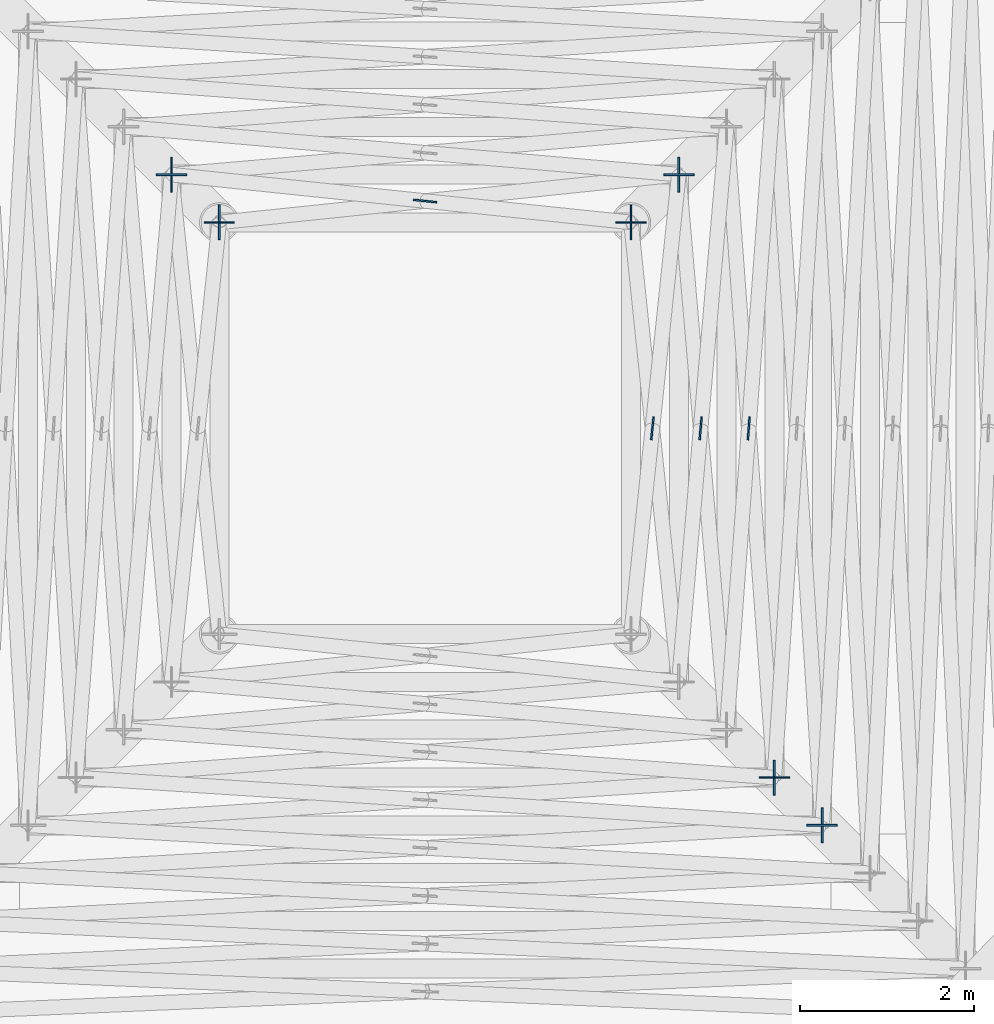
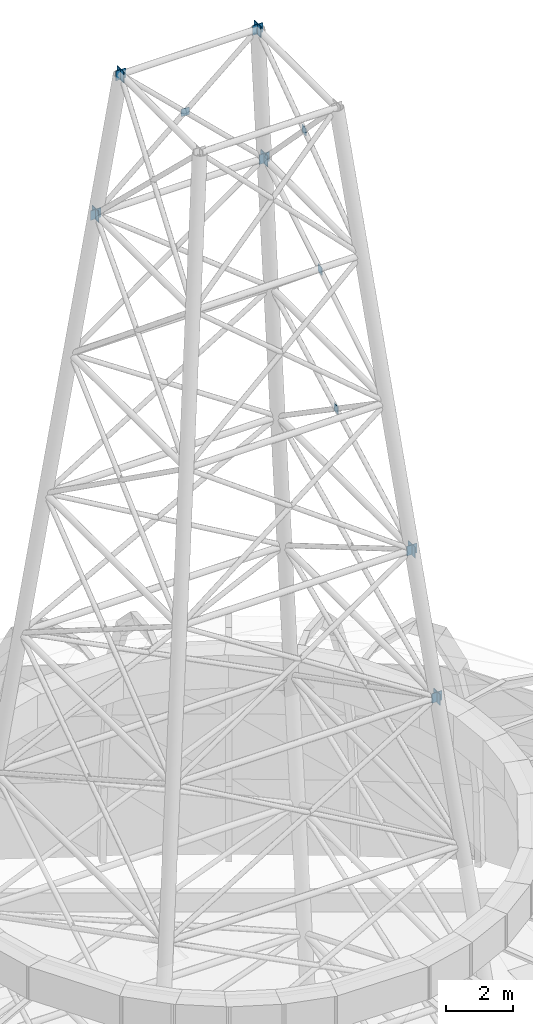
# One storey, part 11 of 27: 16 discrete accessories.
"""IFC4 building model written with IfcOpenShell, lengths in metres."""

from ifc_helpers import new_model, si_unit, direction, frame, origin, origin_2d, place, context, subcontext, project, spatial, rectangle, extrude, material, layer, layer_set, type_object, element, save


model = new_model("IFC4")

# Units and contexts
model_context = context("Model", 3, precision=1e-05, world=origin(), true_north=direction((0.0, 1.0)))
body_context = subcontext(model_context, "Body", "Model", "MODEL_VIEW")
ifc_project = project(units=[si_unit("LENGTHUNIT", "METRE"), si_unit("AREAUNIT", "SQUARE_METRE"), si_unit("VOLUMEUNIT", "CUBIC_METRE"), si_unit("PLANEANGLEUNIT", "RADIAN"), si_unit("MASSUNIT", "GRAM", prefix="KILO")], contexts=[model_context])

# Site, building, storey
site_placement = place(None, origin())
site = spatial("IfcSite", under=ifc_project, at=site_placement, CompositionType="ELEMENT")
building_placement = place(site_placement, origin())
building = spatial("IfcBuilding", under=site, at=building_placement, Name="Ayvan Gate Tower", CompositionType="ELEMENT")
storey_placement = place(building_placement, frame((0.0, 0.0, 267.699951171875)))
storey = spatial("IfcBuildingStorey", under=building, at=storey_placement, Name="Roof", CompositionType="ELEMENT", Elevation=267.699951171875)

# Discrete accessories
ifc_material = material(Name="Steel S460ML", Category="steel")
ifc_layer = layer(ifc_material, 0.02001953125)
ifc_layer_set = layer_set([ifc_layer], Name="Steel S460ML")
discrete_accessory_type = type_object("IfcDiscreteAccessoryType", Name="Gusset plate 20 mm", PredefinedType="BRACKET", material=ifc_layer_set)
for number, where, z_axis, x_axis, name in (
    (1, (3.725341796875, 0.0, 28.93310546875), (0.0, 0.0, 1.0), (0.073248640976, 0.997313710221, 0.0), "Gusset plate MAST BRACE 6-4B"),
    (2, (3.171630859375, 0.0, 34.21630859375), (0.0, 0.0, 1.0), (0.08577514143, 0.996314521179, 0.0), "Gusset plate MAST BRACE 7-4B"),
    (3, (0.0, 2.616455078125, 39.51318359375), (0.0, 0.0, 1.0), (-0.994635507056, 0.103441810229, 0.0), "Gusset plate MAST BRACE 8-1B"),
    (4, (2.616455078125, 0.0, 39.51318359375), (0.0, 0.0, 1.0), (0.103441810229, 0.994635507056, 0.0), "Gusset plate MAST BRACE 8-4B"),
):
    element("IfcDiscreteAccessory", number, at=place(storey_placement, frame(where, z_axis=z_axis, x_axis=x_axis)), inside=storey, type_object=discrete_accessory_type, Name=name, PredefinedType="BRACKET", context=body_context, shape_type="SweptSolid", body=[
        extrude(rectangle(XDim=0.269287109375, YDim=0.02001953125, at=origin_2d()), origin(), (0.0, 0.0, 1.0), 0.269287109375),
    ])
discrete_accessory_1_placement = place(storey_placement, frame((4.57080078125, -4.57080078125, 20.82470703125), z_axis=(0.0, 0.0, 1.0), x_axis=(1.0, 0.0, 0.0)))
element("IfcDiscreteAccessory", 5, at=discrete_accessory_1_placement, inside=storey, type_object=discrete_accessory_type, Name="Gusset plate MAST RING 4-3", PredefinedType="BRACKET", context=body_context, shape_type="SweptSolid", body=[
    extrude(rectangle(XDim=0.3505859375, YDim=0.02001953125, at=origin_2d()), origin(), (0.0, 0.0, 1.0), 0.3505859375),
])
discrete_accessory_2_placement = place(storey_placement, frame((4.57080078125, -4.57080078125, 20.79833984375), z_axis=(0.0, 0.0, 1.0), x_axis=(0.0, 1.0, 0.0)))
element("IfcDiscreteAccessory", 6, at=discrete_accessory_2_placement, inside=storey, type_object=discrete_accessory_type, Name="Gusset plate MAST RING 4-4", PredefinedType="BRACKET", context=body_context, shape_type="SweptSolid", body=[
    extrude(rectangle(XDim=0.403076171875, YDim=0.02001953125, at=origin_2d()), origin(), (0.0, 0.0, 1.0), 0.403076171875),
])
discrete_accessory_3_placement = place(storey_placement, frame((4.0205078125, -4.0205078125, 26.07470703125), z_axis=(0.0, 0.0, 1.0), x_axis=(1.0, 0.0, 0.0)))
element("IfcDiscreteAccessory", 7, at=discrete_accessory_3_placement, inside=storey, type_object=discrete_accessory_type, Name="Gusset plate MAST RING 5-3", PredefinedType="BRACKET", context=body_context, shape_type="SweptSolid", body=[
    extrude(rectangle(XDim=0.3505859375, YDim=0.02001953125, at=origin_2d()), origin(), (0.0, 0.0, 1.0), 0.3505859375),
])
discrete_accessory_4_placement = place(storey_placement, frame((4.0205078125, -4.0205078125, 26.04833984375), z_axis=(0.0, 0.0, 1.0), x_axis=(0.0, 1.0, 0.0)))
element("IfcDiscreteAccessory", 8, at=discrete_accessory_4_placement, inside=storey, type_object=discrete_accessory_type, Name="Gusset plate MAST RING 5-4", PredefinedType="BRACKET", context=body_context, shape_type="SweptSolid", body=[
    extrude(rectangle(XDim=0.403076171875, YDim=0.02001953125, at=origin_2d()), origin(), (0.0, 0.0, 1.0), 0.403076171875),
])
for number, where, z_axis, x_axis, name in (
    (9, (2.920166015625, 2.920166015625, 36.57470703125), (0.0, 0.0, 1.0), (1.0, 0.0, 0.0), "Gusset plate MAST RING 7-1"),
    (10, (-2.920166015625, 2.920166015625, 36.57470703125), (0.0, 0.0, 1.0), (1.0, 0.0, 0.0), "Gusset plate MAST RING 7-1"),
):
    element("IfcDiscreteAccessory", number, at=place(storey_placement, frame(where, z_axis=z_axis, x_axis=x_axis)), inside=storey, type_object=discrete_accessory_type, Name=name, PredefinedType="BRACKET", context=body_context, shape_type="SweptSolid", body=[
        extrude(rectangle(XDim=0.3505859375, YDim=0.02001953125, at=origin_2d()), origin(), (0.0, 0.0, 1.0), 0.3505859375),
    ])
for number, where, z_axis, x_axis, name in (
    (11, (-2.920166015625, 2.920166015625, 36.54833984375), (0.0, 0.0, 1.0), (0.0, 1.0, 0.0), "Gusset plate MAST RING 7-2"),
    (12, (2.920166015625, 2.920166015625, 36.54833984375), (0.0, 0.0, 1.0), (0.0, 1.0, 0.0), "Gusset plate MAST RING 7-4"),
):
    element("IfcDiscreteAccessory", number, at=place(storey_placement, frame(where, z_axis=z_axis, x_axis=x_axis)), inside=storey, type_object=discrete_accessory_type, Name=name, PredefinedType="BRACKET", context=body_context, shape_type="SweptSolid", body=[
        extrude(rectangle(XDim=0.403076171875, YDim=0.02001953125, at=origin_2d()), origin(), (0.0, 0.0, 1.0), 0.403076171875),
    ])
for number, where, z_axis, x_axis, name in (
    (13, (2.3701171875, 2.3701171875, 41.82470703125), (0.0, 0.0, 1.0), (1.0, 0.0, 0.0), "Gusset plate MAST RING 8-1"),
    (14, (-2.3701171875, 2.3701171875, 41.82470703125), (0.0, 0.0, 1.0), (1.0, 0.0, 0.0), "Gusset plate MAST RING 8-1"),
):
    element("IfcDiscreteAccessory", number, at=place(storey_placement, frame(where, z_axis=z_axis, x_axis=x_axis)), inside=storey, type_object=discrete_accessory_type, Name=name, PredefinedType="BRACKET", context=body_context, shape_type="SweptSolid", body=[
        extrude(rectangle(XDim=0.3505859375, YDim=0.02001953125, at=origin_2d()), origin(), (0.0, 0.0, 1.0), 0.3505859375),
    ])
for number, where, z_axis, x_axis, name in (
    (15, (-2.3701171875, 2.3701171875, 41.79833984375), (0.0, 0.0, 1.0), (0.0, 1.0, 0.0), "Gusset plate MAST RING 8-2"),
    (16, (2.3701171875, 2.3701171875, 41.79833984375), (0.0, 0.0, 1.0), (0.0, 1.0, 0.0), "Gusset plate MAST RING 8-4"),
):
    element("IfcDiscreteAccessory", number, at=place(storey_placement, frame(where, z_axis=z_axis, x_axis=x_axis)), inside=storey, type_object=discrete_accessory_type, Name=name, PredefinedType="BRACKET", context=body_context, shape_type="SweptSolid", body=[
        extrude(rectangle(XDim=0.403076171875, YDim=0.02001953125, at=origin_2d()), origin(), (0.0, 0.0, 1.0), 0.403076171875),
    ])

save(model, "model.ifc")
